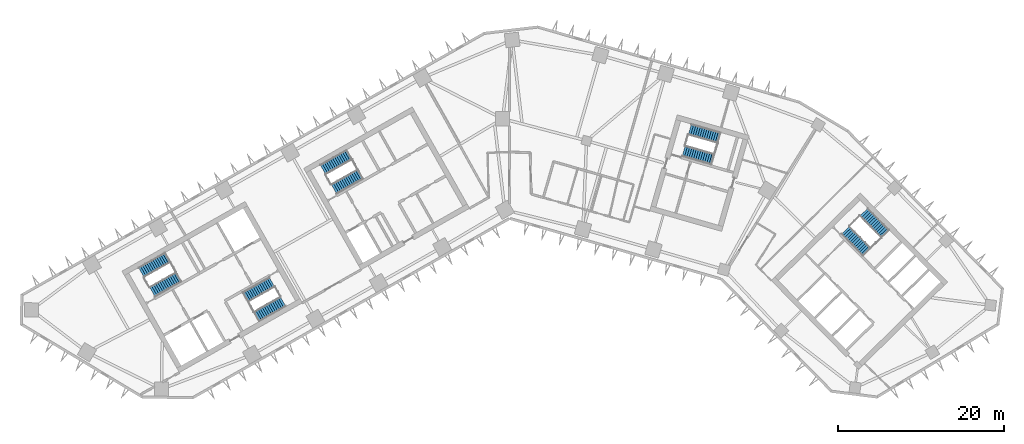
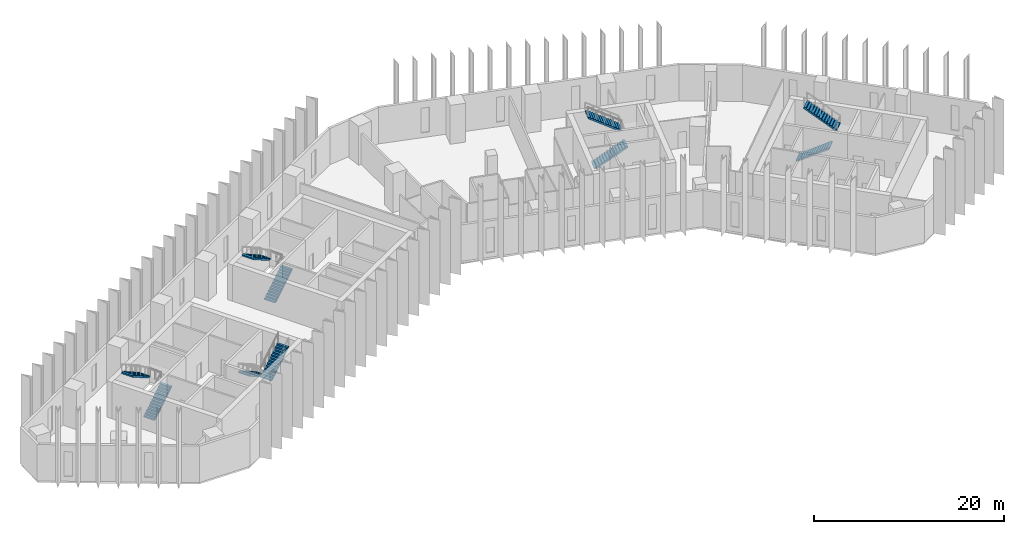
# One storey, part 8 of 11: 10 stair flights, 5 elements without a shape of their own.
"""IFC4 building model written with IfcOpenShell, lengths in metres."""

from ifc_helpers import new_model, si_unit, direction, frame, origin, place, context, subcontext, project, spatial, polyline, outline, extrude, material, type_object, element, aggregate, save


model = new_model("IFC4")

# Units and contexts
model_context = context("Model", 3, precision=1e-05, world=origin(), true_north=direction((0.0, 1.0)))
body_context = subcontext(model_context, "Body", "Model", "MODEL_VIEW")
ifc_project = project(units=[si_unit("LENGTHUNIT", "METRE"), si_unit("AREAUNIT", "SQUARE_METRE"), si_unit("VOLUMEUNIT", "CUBIC_METRE"), si_unit("PLANEANGLEUNIT", "RADIAN"), si_unit("MASSUNIT", "GRAM", prefix="KILO")], contexts=[model_context])

# Site, building, storey
site_placement = place(None, origin())
site = spatial("IfcSite", under=ifc_project, at=site_placement, CompositionType="ELEMENT")
building_placement = place(site_placement, origin())
building = spatial("IfcBuilding", under=site, at=building_placement, Name="Binnacle Exchange Tower", CompositionType="ELEMENT")
storey_placement = place(building_placement, frame((0.0, 0.0, 56.5)))
storey = spatial("IfcBuildingStorey", under=building, at=storey_placement, Name="L11", CompositionType="ELEMENT", Elevation=56.5)

# Stair, stair flights
ifc_material = material(Name="Concrete C35/45", Category="concrete")
stair_type = type_object("IfcStairType", Name="STAIR 28 RISERS 179", PredefinedType="HALF_TURN_STAIR", material=ifc_material)
stair_1_placement = place(storey_placement, origin())
stair_1 = element("IfcStair", 1, at=stair_1_placement, inside=storey, type_object=stair_type, Name="L11 Escape stair A1", PredefinedType="HALF_TURN_STAIR")
stair_flight_type = type_object("IfcStairFlightType", Name="STAIR FLIGHT 179X280", PredefinedType="STRAIGHT", material=ifc_material)
stair_flight_1_placement = place(storey_placement, frame((-42.9541015625, 39.17333984375, 0.0), z_axis=(0.0, 0.0, 1.0), x_axis=(0.870355584213, 0.492423757581, 0.0)))
stair_flight_1 = element("IfcStairFlight", 2, at=stair_flight_1_placement, type_object=stair_flight_type, Name="STA1 flight 1", NumberOfRisers=14, NumberOfTreads=13, PredefinedType="STRAIGHT", RiserHeight=0.178571429, TreadLength=0.28, context=body_context, shape_type="SweptSolid", body=[
    extrude(outline(polyline([(0.0, 0.0), (0.0, 0.178466796875), (0.280029296875, 0.178466796875), (0.280029296875, 0.357177734375), (0.56005859375, 0.357177734375), (0.56005859375, 0.53564453125), (0.840087890625, 0.53564453125), (0.840087890625, 0.71435546875), (1.1201171875, 0.71435546875), (1.1201171875, 0.892822265625), (1.39990234375, 0.892822265625), (1.39990234375, 1.071533203125), (1.679931640625, 1.071533203125), (1.679931640625, 1.25), (1.9599609375, 1.25), (1.9599609375, 1.428466796875), (2.239990234375, 1.428466796875), (2.239990234375, 1.607177734375), (2.52001953125, 1.607177734375), (2.52001953125, 1.78564453125), (2.800048828125, 1.78564453125), (2.800048828125, 1.96435546875), (3.080078125, 1.96435546875), (3.080078125, 2.142822265625), (3.360107421875, 2.142822265625), (3.360107421875, 2.321533203125), (3.639892578125, 2.321533203125), (3.639892578125, 2.5), (3.639892578125, 2.1435546875), (0.27880859375, 0.0), (0.0, 0.0)])), frame((0.0, 0.675048828125, 0.0), z_axis=(0.0, -1.0, 0.0), x_axis=(1.0, 0.0, 0.0)), (0.0, 0.0, 1.0), 1.35009765625),
])
stair_flight_2_placement = place(storey_placement, frame((-41.115478515625, 43.315673828125, 2.5), z_axis=(0.0, 0.0, 1.0), x_axis=(-0.870355584213, -0.492423757581, 0.0)))
stair_flight_2 = element("IfcStairFlight", 3, at=stair_flight_2_placement, type_object=stair_flight_type, Name="STA1 flight 2", NumberOfRisers=14, NumberOfTreads=13, PredefinedType="STRAIGHT", RiserHeight=0.178571429, TreadLength=0.28, context=body_context, shape_type="SweptSolid", body=[
    extrude(outline(polyline([(0.0, 0.0), (0.0, 0.178466796875), (0.280029296875, 0.178466796875), (0.280029296875, 0.357177734375), (0.56005859375, 0.357177734375), (0.56005859375, 0.53564453125), (0.840087890625, 0.53564453125), (0.840087890625, 0.71435546875), (1.1201171875, 0.71435546875), (1.1201171875, 0.892822265625), (1.39990234375, 0.892822265625), (1.39990234375, 1.071533203125), (1.679931640625, 1.071533203125), (1.679931640625, 1.25), (1.9599609375, 1.25), (1.9599609375, 1.428466796875), (2.239990234375, 1.428466796875), (2.239990234375, 1.607177734375), (2.52001953125, 1.607177734375), (2.52001953125, 1.78564453125), (2.800048828125, 1.78564453125), (2.800048828125, 1.96435546875), (3.080078125, 1.96435546875), (3.080078125, 2.142822265625), (3.360107421875, 2.142822265625), (3.360107421875, 2.321533203125), (3.639892578125, 2.321533203125), (3.639892578125, 2.5), (3.639892578125, 2.1435546875), (0.27880859375, 0.0), (0.0, 0.0)])), frame((0.0, 0.675048828125, 0.0), z_axis=(0.0, -1.0, 0.0), x_axis=(1.0, 0.0, 0.0)), (0.0, 0.0, 1.0), 1.35009765625),
])
aggregate(stair_1, [stair_flight_1, stair_flight_2])

stair_2_placement = place(storey_placement, origin())
stair_2 = element("IfcStair", 4, at=stair_2_placement, inside=storey, type_object=stair_type, Name="L11 Escape stair A2", PredefinedType="HALF_TURN_STAIR")
stair_flight_3_placement = place(storey_placement, frame((-28.5732421875, 40.3583984375, 0.0), z_axis=(0.0, 0.0, 1.0), x_axis=(-0.870355584213, -0.492423757581, 0.0)))
stair_flight_3 = element("IfcStairFlight", 5, at=stair_flight_3_placement, type_object=stair_flight_type, Name="STA2 flight 1", NumberOfRisers=14, NumberOfTreads=13, PredefinedType="STRAIGHT", RiserHeight=0.178571429, TreadLength=0.28, context=body_context, shape_type="SweptSolid", body=[
    extrude(outline(polyline([(0.0, 0.0), (0.0, 0.178466796875), (0.280029296875, 0.178466796875), (0.280029296875, 0.357177734375), (0.56005859375, 0.357177734375), (0.56005859375, 0.53564453125), (0.840087890625, 0.53564453125), (0.840087890625, 0.71435546875), (1.1201171875, 0.71435546875), (1.1201171875, 0.892822265625), (1.39990234375, 0.892822265625), (1.39990234375, 1.071533203125), (1.679931640625, 1.071533203125), (1.679931640625, 1.25), (1.9599609375, 1.25), (1.9599609375, 1.428466796875), (2.239990234375, 1.428466796875), (2.239990234375, 1.607177734375), (2.52001953125, 1.607177734375), (2.52001953125, 1.78564453125), (2.800048828125, 1.78564453125), (2.800048828125, 1.96435546875), (3.080078125, 1.96435546875), (3.080078125, 2.142822265625), (3.360107421875, 2.142822265625), (3.360107421875, 2.321533203125), (3.639892578125, 2.321533203125), (3.639892578125, 2.5), (3.639892578125, 2.1435546875), (0.27880859375, 0.0), (0.0, 0.0)])), frame((0.0, 0.675048828125, 0.0), z_axis=(0.0, -1.0, 0.0), x_axis=(1.0, 0.0, 0.0)), (0.0, 0.0, 1.0), 1.35009765625),
])
stair_flight_4_placement = place(storey_placement, frame((-30.411865234375, 36.216064453125, 2.5), z_axis=(0.0, 0.0, 1.0), x_axis=(0.870355584213, 0.492423757581, 0.0)))
stair_flight_4 = element("IfcStairFlight", 6, at=stair_flight_4_placement, type_object=stair_flight_type, Name="STA2 flight 2", NumberOfRisers=14, NumberOfTreads=13, PredefinedType="STRAIGHT", RiserHeight=0.178571429, TreadLength=0.28, context=body_context, shape_type="SweptSolid", body=[
    extrude(outline(polyline([(0.0, 0.0), (0.0, 0.178466796875), (0.280029296875, 0.178466796875), (0.280029296875, 0.357177734375), (0.56005859375, 0.357177734375), (0.56005859375, 0.53564453125), (0.840087890625, 0.53564453125), (0.840087890625, 0.71435546875), (1.1201171875, 0.71435546875), (1.1201171875, 0.892822265625), (1.39990234375, 0.892822265625), (1.39990234375, 1.071533203125), (1.679931640625, 1.071533203125), (1.679931640625, 1.25), (1.9599609375, 1.25), (1.9599609375, 1.428466796875), (2.239990234375, 1.428466796875), (2.239990234375, 1.607177734375), (2.52001953125, 1.607177734375), (2.52001953125, 1.78564453125), (2.800048828125, 1.78564453125), (2.800048828125, 1.96435546875), (3.080078125, 1.96435546875), (3.080078125, 2.142822265625), (3.360107421875, 2.142822265625), (3.360107421875, 2.321533203125), (3.639892578125, 2.321533203125), (3.639892578125, 2.5), (3.639892578125, 2.1435546875), (0.27880859375, 0.0), (0.0, 0.0)])), frame((0.0, 0.675048828125, 0.0), z_axis=(0.0, -1.0, 0.0), x_axis=(1.0, 0.0, 0.0)), (0.0, 0.0, 1.0), 1.35009765625),
])
aggregate(stair_2, [stair_flight_3, stair_flight_4])

stair_3_placement = place(storey_placement, origin())
stair_3 = element("IfcStair", 7, at=stair_3_placement, inside=storey, type_object=stair_type, Name="L11 Escape stair B1", PredefinedType="HALF_TURN_STAIR")
stair_flight_5_placement = place(storey_placement, frame((40.376708984375, 46.608642578125, 0.0), z_axis=(0.0, 0.0, 1.0), x_axis=(0.70090935144, -0.713250363522, 0.0)))
stair_flight_5 = element("IfcStairFlight", 8, at=stair_flight_5_placement, type_object=stair_flight_type, Name="STB1 flight 1", NumberOfRisers=14, NumberOfTreads=13, PredefinedType="STRAIGHT", RiserHeight=0.178571429, TreadLength=0.28, context=body_context, shape_type="SweptSolid", body=[
    extrude(outline(polyline([(0.0, 0.0), (0.0, 0.178466796875), (0.280029296875, 0.178466796875), (0.280029296875, 0.357177734375), (0.56005859375, 0.357177734375), (0.56005859375, 0.53564453125), (0.840087890625, 0.53564453125), (0.840087890625, 0.71435546875), (1.1201171875, 0.71435546875), (1.1201171875, 0.892822265625), (1.39990234375, 0.892822265625), (1.39990234375, 1.071533203125), (1.679931640625, 1.071533203125), (1.679931640625, 1.25), (1.9599609375, 1.25), (1.9599609375, 1.428466796875), (2.239990234375, 1.428466796875), (2.239990234375, 1.607177734375), (2.52001953125, 1.607177734375), (2.52001953125, 1.78564453125), (2.800048828125, 1.78564453125), (2.800048828125, 1.96435546875), (3.080078125, 1.96435546875), (3.080078125, 2.142822265625), (3.360107421875, 2.142822265625), (3.360107421875, 2.321533203125), (3.639892578125, 2.321533203125), (3.639892578125, 2.5), (3.639892578125, 2.1435546875), (0.27880859375, 0.0), (0.0, 0.0)])), frame((0.0, 0.675048828125, 0.0), z_axis=(0.0, -1.0, 0.0), x_axis=(1.0, 0.0, 0.0)), (0.0, 0.0, 1.0), 1.35009765625),
])
stair_flight_6_placement = place(storey_placement, frame((45.13916015625, 46.185302734375, 2.5), z_axis=(0.0, 0.0, 1.0), x_axis=(-0.70090935144, 0.713250363522, 0.0)))
stair_flight_6 = element("IfcStairFlight", 9, at=stair_flight_6_placement, type_object=stair_flight_type, Name="STB1 flight 2", NumberOfRisers=14, NumberOfTreads=13, PredefinedType="STRAIGHT", RiserHeight=0.178571429, TreadLength=0.28, context=body_context, shape_type="SweptSolid", body=[
    extrude(outline(polyline([(0.0, 0.0), (0.0, 0.178466796875), (0.280029296875, 0.178466796875), (0.280029296875, 0.357177734375), (0.56005859375, 0.357177734375), (0.56005859375, 0.53564453125), (0.840087890625, 0.53564453125), (0.840087890625, 0.71435546875), (1.1201171875, 0.71435546875), (1.1201171875, 0.892822265625), (1.39990234375, 0.892822265625), (1.39990234375, 1.071533203125), (1.679931640625, 1.071533203125), (1.679931640625, 1.25), (1.9599609375, 1.25), (1.9599609375, 1.428466796875), (2.239990234375, 1.428466796875), (2.239990234375, 1.607177734375), (2.52001953125, 1.607177734375), (2.52001953125, 1.78564453125), (2.800048828125, 1.78564453125), (2.800048828125, 1.96435546875), (3.080078125, 1.96435546875), (3.080078125, 2.142822265625), (3.360107421875, 2.142822265625), (3.360107421875, 2.321533203125), (3.639892578125, 2.321533203125), (3.639892578125, 2.5), (3.639892578125, 2.1435546875), (0.27880859375, 0.0), (0.0, 0.0)])), frame((0.0, 0.675048828125, 0.0), z_axis=(0.0, -1.0, 0.0), x_axis=(1.0, 0.0, 0.0)), (0.0, 0.0, 1.0), 1.35009765625),
])
aggregate(stair_3, [stair_flight_5, stair_flight_6])

stair_4_placement = place(storey_placement, origin())
stair_4 = element("IfcStair", 10, at=stair_4_placement, inside=storey, type_object=stair_type, Name="L11 Escape stair C1", PredefinedType="HALF_TURN_STAIR")
stair_flight_7_placement = place(storey_placement, frame((-21.115966796875, 51.528564453125, 0.0), z_axis=(0.0, 0.0, 1.0), x_axis=(0.870355584213, 0.492423757581, 0.0)))
stair_flight_7 = element("IfcStairFlight", 11, at=stair_flight_7_placement, type_object=stair_flight_type, Name="STC1 flight 1", NumberOfRisers=14, NumberOfTreads=13, PredefinedType="STRAIGHT", RiserHeight=0.178571429, TreadLength=0.28, context=body_context, shape_type="SweptSolid", body=[
    extrude(outline(polyline([(0.0, 0.0), (0.0, 0.178466796875), (0.280029296875, 0.178466796875), (0.280029296875, 0.357177734375), (0.56005859375, 0.357177734375), (0.56005859375, 0.53564453125), (0.840087890625, 0.53564453125), (0.840087890625, 0.71435546875), (1.1201171875, 0.71435546875), (1.1201171875, 0.892822265625), (1.39990234375, 0.892822265625), (1.39990234375, 1.071533203125), (1.679931640625, 1.071533203125), (1.679931640625, 1.25), (1.9599609375, 1.25), (1.9599609375, 1.428466796875), (2.239990234375, 1.428466796875), (2.239990234375, 1.607177734375), (2.52001953125, 1.607177734375), (2.52001953125, 1.78564453125), (2.800048828125, 1.78564453125), (2.800048828125, 1.96435546875), (3.080078125, 1.96435546875), (3.080078125, 2.142822265625), (3.360107421875, 2.142822265625), (3.360107421875, 2.321533203125), (3.639892578125, 2.321533203125), (3.639892578125, 2.5), (3.639892578125, 2.1435546875), (0.27880859375, 0.0), (0.0, 0.0)])), frame((0.0, 0.675048828125, 0.0), z_axis=(0.0, -1.0, 0.0), x_axis=(1.0, 0.0, 0.0)), (0.0, 0.0, 1.0), 1.35009765625),
])
stair_flight_8_placement = place(storey_placement, frame((-19.27734375, 55.671142578125, 2.5), z_axis=(0.0, 0.0, 1.0), x_axis=(-0.870355584213, -0.492423757581, 0.0)))
stair_flight_8 = element("IfcStairFlight", 12, at=stair_flight_8_placement, type_object=stair_flight_type, Name="STC1 flight 2", NumberOfRisers=14, NumberOfTreads=13, PredefinedType="STRAIGHT", RiserHeight=0.178571429, TreadLength=0.28, context=body_context, shape_type="SweptSolid", body=[
    extrude(outline(polyline([(0.0, 0.0), (0.0, 0.178466796875), (0.280029296875, 0.178466796875), (0.280029296875, 0.357177734375), (0.56005859375, 0.357177734375), (0.56005859375, 0.53564453125), (0.840087890625, 0.53564453125), (0.840087890625, 0.71435546875), (1.1201171875, 0.71435546875), (1.1201171875, 0.892822265625), (1.39990234375, 0.892822265625), (1.39990234375, 1.071533203125), (1.679931640625, 1.071533203125), (1.679931640625, 1.25), (1.9599609375, 1.25), (1.9599609375, 1.428466796875), (2.239990234375, 1.428466796875), (2.239990234375, 1.607177734375), (2.52001953125, 1.607177734375), (2.52001953125, 1.78564453125), (2.800048828125, 1.78564453125), (2.800048828125, 1.96435546875), (3.080078125, 1.96435546875), (3.080078125, 2.142822265625), (3.360107421875, 2.142822265625), (3.360107421875, 2.321533203125), (3.639892578125, 2.321533203125), (3.639892578125, 2.5), (3.639892578125, 2.1435546875), (0.27880859375, 0.0), (0.0, 0.0)])), frame((0.0, 0.675048828125, 0.0), z_axis=(0.0, -1.0, 0.0), x_axis=(1.0, 0.0, 0.0)), (0.0, 0.0, 1.0), 1.35009765625),
])
aggregate(stair_4, [stair_flight_7, stair_flight_8])

stair_5_placement = place(storey_placement, origin())
stair_5 = element("IfcStair", 13, at=stair_5_placement, inside=storey, type_object=stair_type, Name="L11 Escape stair D1", PredefinedType="HALF_TURN_STAIR")
stair_flight_9_placement = place(storey_placement, frame((20.914306640625, 56.109619140625, 0.0), z_axis=(0.0, 0.0, 1.0), x_axis=(0.961261811397, -0.275636953165, 0.0)))
stair_flight_9 = element("IfcStairFlight", 14, at=stair_flight_9_placement, type_object=stair_flight_type, Name="STD1 flight 1", NumberOfRisers=14, NumberOfTreads=13, PredefinedType="STRAIGHT", RiserHeight=0.178571429, TreadLength=0.28, context=body_context, shape_type="SweptSolid", body=[
    extrude(outline(polyline([(0.0, 0.0), (0.0, 0.178466796875), (0.280029296875, 0.178466796875), (0.280029296875, 0.357177734375), (0.56005859375, 0.357177734375), (0.56005859375, 0.53564453125), (0.840087890625, 0.53564453125), (0.840087890625, 0.71435546875), (1.1201171875, 0.71435546875), (1.1201171875, 0.892822265625), (1.39990234375, 0.892822265625), (1.39990234375, 1.071533203125), (1.679931640625, 1.071533203125), (1.679931640625, 1.25), (1.9599609375, 1.25), (1.9599609375, 1.428466796875), (2.239990234375, 1.428466796875), (2.239990234375, 1.607177734375), (2.52001953125, 1.607177734375), (2.52001953125, 1.78564453125), (2.800048828125, 1.78564453125), (2.800048828125, 1.96435546875), (3.080078125, 1.96435546875), (3.080078125, 2.142822265625), (3.360107421875, 2.142822265625), (3.360107421875, 2.321533203125), (3.639892578125, 2.321533203125), (3.639892578125, 2.5), (3.639892578125, 2.1435546875), (0.27880859375, 0.0), (0.0, 0.0)])), frame((0.0, 0.675048828125, 0.0), z_axis=(0.0, -1.0, 0.0), x_axis=(1.0, 0.0, 0.0)), (0.0, 0.0, 1.0), 1.35009765625),
])
stair_flight_10_placement = place(storey_placement, frame((25.157470703125, 57.70166015625, 2.5), z_axis=(0.0, 0.0, 1.0), x_axis=(-0.961261811397, 0.275636953165, 0.0)))
stair_flight_10 = element("IfcStairFlight", 15, at=stair_flight_10_placement, type_object=stair_flight_type, Name="STD1 flight 2", NumberOfRisers=14, NumberOfTreads=13, PredefinedType="STRAIGHT", RiserHeight=0.178571429, TreadLength=0.28, context=body_context, shape_type="SweptSolid", body=[
    extrude(outline(polyline([(0.0, 0.0), (0.0, 0.178466796875), (0.280029296875, 0.178466796875), (0.280029296875, 0.357177734375), (0.56005859375, 0.357177734375), (0.56005859375, 0.53564453125), (0.840087890625, 0.53564453125), (0.840087890625, 0.71435546875), (1.1201171875, 0.71435546875), (1.1201171875, 0.892822265625), (1.39990234375, 0.892822265625), (1.39990234375, 1.071533203125), (1.679931640625, 1.071533203125), (1.679931640625, 1.25), (1.9599609375, 1.25), (1.9599609375, 1.428466796875), (2.239990234375, 1.428466796875), (2.239990234375, 1.607177734375), (2.52001953125, 1.607177734375), (2.52001953125, 1.78564453125), (2.800048828125, 1.78564453125), (2.800048828125, 1.96435546875), (3.080078125, 1.96435546875), (3.080078125, 2.142822265625), (3.360107421875, 2.142822265625), (3.360107421875, 2.321533203125), (3.639892578125, 2.321533203125), (3.639892578125, 2.5), (3.639892578125, 2.1435546875), (0.27880859375, 0.0), (0.0, 0.0)])), frame((0.0, 0.675048828125, 0.0), z_axis=(0.0, -1.0, 0.0), x_axis=(1.0, 0.0, 0.0)), (0.0, 0.0, 1.0), 1.35009765625),
])
aggregate(stair_5, [stair_flight_9, stair_flight_10])

save(model, "model.ifc")
